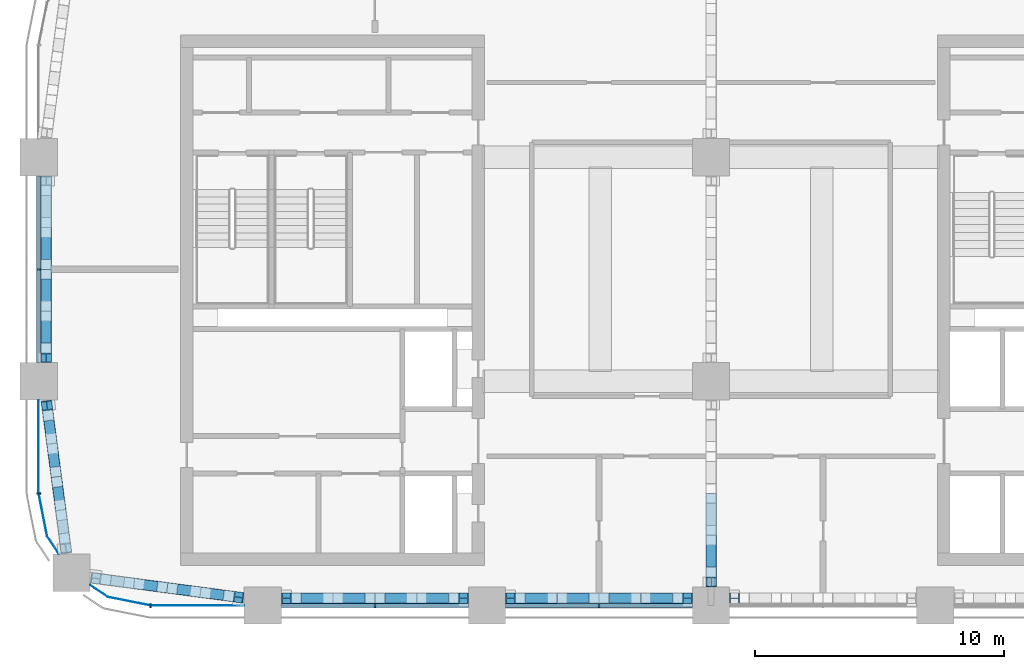
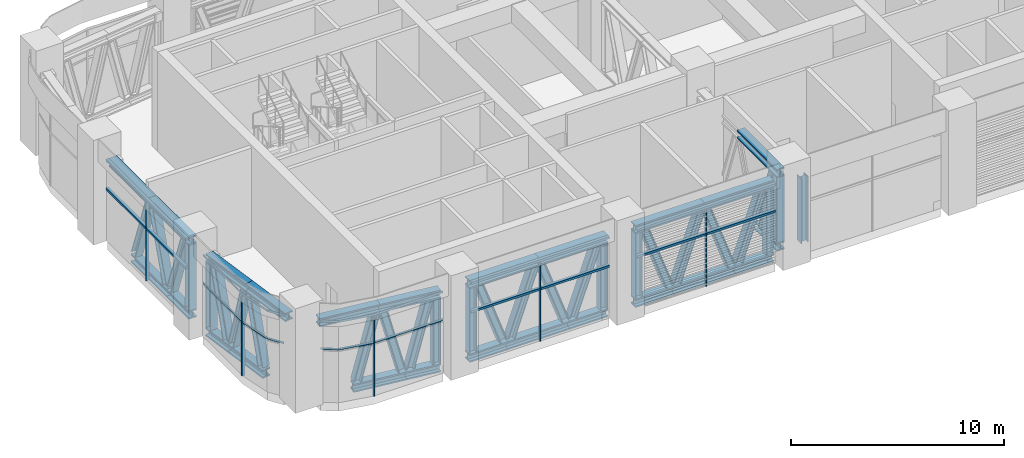
# One storey, part 2 of 19: 66 members, 5 elements without a shape of their own.
"""IFC4 building model written with IfcOpenShell, lengths in metres."""

import ifcopenshell
import ifcopenshell.guid

model = None  # the IFC model being written
_history = None  # IfcOwnerHistory: only IFC2X3 demands one
_inside = {}  # id of a spatial element -> (the spatial element, [elements in it])
_under = {}  # id of a project, library or spatial element -> (it, [spatial elements below it])
_declared = {}  # id of a project -> (the project, [libraries it declares])
_typed = {}  # id of a type object -> (the type object, [elements of that type])
_made_of = {}  # id of a material, layer set ... -> (it, [elements and type objects made of it])


def new_model(schema):
    """Start an empty IFC model of exactly this schema.

    Asked for "IFC4X3", IfcOpenShell would pick the latest addendum, in which some entities
    have other attributes; the version numbers below select the first issue.
    IFC2X3 requires an IfcOwnerHistory on every rooted entity: one is made here for all.
    """
    global model, _history
    if schema == "IFC4X3":
        model = ifcopenshell.file(schema_version=(4, 3, 0, 0))
    else:
        model = ifcopenshell.file(schema=schema)
    _inside.clear()
    _under.clear()
    _declared.clear()
    _typed.clear()
    _made_of.clear()
    _history = None
    if model.schema == "IFC2X3":
        org = make("IfcOrganization", Name="unknown")
        user = make(
            "IfcPersonAndOrganization",
            ThePerson=make("IfcPerson", FamilyName="unknown"),
            TheOrganization=org,
        )
        app = make(
            "IfcApplication",
            ApplicationDeveloper=org,
            Version="unknown",
            ApplicationFullName="unknown",
            ApplicationIdentifier="unknown",
        )
        _history = make(
            "IfcOwnerHistory",
            OwningUser=user,
            OwningApplication=app,
            ChangeAction="ADDED",
            CreationDate=0,
        )
    return model


def make(cls, **values):
    """One entity of the class cls with the attributes given. An attribute that is None is left unset."""
    return model.create_entity(
        cls, **{name: value for name, value in values.items() if value is not None}
    )


def rooted(cls, **values):
    """An entity with a GlobalId (a new one), such as an element, a storey or a relation."""
    return make(cls, GlobalId=ifcopenshell.guid.new(), OwnerHistory=_history, **values)


def si_unit(unit_type, name, prefix=None):
    """IfcSIUnit, for example si_unit("LENGTHUNIT", "METRE", prefix="MILLI")."""
    return make("IfcSIUnit", UnitType=unit_type, Prefix=prefix, Name=name)


def assignment(units):
    """IfcUnitAssignment: the units of a project."""
    return None if units is None else make("IfcUnitAssignment", Units=units)


def point(xyz):
    """IfcCartesianPoint."""
    return None if xyz is None else make("IfcCartesianPoint", Coordinates=xyz)


def direction(xyz):
    """IfcDirection."""
    return None if xyz is None else make("IfcDirection", DirectionRatios=xyz)


def frame(location, z_axis=None, x_axis=None):
    """IfcAxis2Placement3D, a coordinate frame: its origin and axes. An axis left out is left unset."""
    return make(
        "IfcAxis2Placement3D",
        Location=point(location),
        Axis=direction(z_axis),
        RefDirection=direction(x_axis),
    )


def frame_2d(location, x_axis=None):
    """IfcAxis2Placement2D, a coordinate frame in the plane: its origin and x axis."""
    return make(
        "IfcAxis2Placement2D", Location=point(location), RefDirection=direction(x_axis)
    )


def origin():
    """The frame at (0, 0, 0) with its axes left unset."""
    return frame((0.0, 0.0, 0.0))


def origin_2d():
    """The frame at (0, 0) in the plane with its x axis left unset."""
    return frame_2d((0.0, 0.0))


def place(relative_to, where):
    """IfcLocalPlacement: puts the frame where relative to a parent placement (None: the world)."""
    return make(
        "IfcLocalPlacement", PlacementRelTo=relative_to, RelativePlacement=where
    )


def context(
    kind, dimensions, precision=None, world=None, true_north=None, identifier=None
):
    """IfcGeometricRepresentationContext, for example the 3D "Model" context."""
    return make(
        "IfcGeometricRepresentationContext",
        ContextIdentifier=identifier,
        ContextType=kind,
        CoordinateSpaceDimension=dimensions,
        Precision=precision,
        WorldCoordinateSystem=world,
        TrueNorth=true_north,
    )


def subcontext(parent, identifier, kind, view, scale=None):
    """IfcGeometricRepresentationSubContext, for example "Body" below "Model"."""
    return make(
        "IfcGeometricRepresentationSubContext",
        ContextIdentifier=identifier,
        ContextType=kind,
        ParentContext=parent,
        TargetScale=scale,
        TargetView=view,
    )


def project(units=None, contexts=None):
    """IfcProject with its units and contexts."""
    return rooted(
        "IfcProject",
        Name="project",
        RepresentationContexts=contexts,
        UnitsInContext=assignment(units),
    )


def spatial(cls, under=None, at=None, **own):
    """A site, building, storey or space (cls), placed at a placement, below another one or the project."""
    s = rooted(cls, ObjectPlacement=at, **own)
    if under is not None:
        _under.setdefault(under.id(), (under, []))[1].append(s)
    return s


def polyline(points):
    """IfcPolyline through the points."""
    return make("IfcPolyline", Points=[point(p) for p in points])


def profile(cls, at=None, kind="AREA", **sizes):
    """A parametric profile (cls). Its sizes go by their IFC names, for example OverallWidth=200.0."""
    return make(cls, ProfileType=kind, Position=at, **sizes)


def rectangle(**sizes):
    """IfcRectangleProfileDef."""
    return profile("IfcRectangleProfileDef", **sizes)


def i_section(**sizes):
    """IfcIShapeProfileDef."""
    return profile("IfcIShapeProfileDef", **sizes)


def outline(outer, holes=None, kind="AREA"):
    """IfcArbitraryClosedProfileDef: a profile drawn as a closed curve; with holes, ...WithVoids."""
    if holes is None:
        return make("IfcArbitraryClosedProfileDef", ProfileType=kind, OuterCurve=outer)
    return make(
        "IfcArbitraryProfileDefWithVoids",
        ProfileType=kind,
        OuterCurve=outer,
        InnerCurves=holes,
    )


def extrude(swept, where, along, depth):
    """IfcExtrudedAreaSolid: the profile swept, set in the frame where, extruded along a direction by depth."""
    return make(
        "IfcExtrudedAreaSolid",
        SweptArea=swept,
        Position=where,
        ExtrudedDirection=direction(along),
        Depth=depth,
    )


def shape(context_of_items, identifier, shape_type, items):
    """IfcShapeRepresentation: the items that make up one representation, for example the "Body"."""
    return make(
        "IfcShapeRepresentation",
        ContextOfItems=context_of_items,
        RepresentationIdentifier=identifier,
        RepresentationType=shape_type,
        Items=items,
    )


def material(Name=None, Category=None):
    """IfcMaterial."""
    return make("IfcMaterial", Name=Name, Category=Category)


def material_profile(
    of_material, cross_section, Name=None, Category=None, Priority=None
):
    """IfcMaterialProfile: a cross section and its material."""
    return make(
        "IfcMaterialProfile",
        Name=Name,
        Material=of_material,
        Profile=cross_section,
        Priority=Priority,
        Category=Category,
    )


def profile_set(profiles, Name=None, composite=None):
    """IfcMaterialProfileSet."""
    return make(
        "IfcMaterialProfileSet",
        Name=Name,
        MaterialProfiles=profiles,
        CompositeProfile=composite,
    )


def made_of(thing, what):
    """Note that an element or type object is made of a material, layer set ...; save() writes the relation."""
    if what is not None:
        _made_of.setdefault(what.id(), (what, []))[1].append(thing)
    return thing


def type_object(cls, material=None, **own):
    """A type object (cls), such as IfcWallType, which elements share."""
    return made_of(rooted(cls, **own), material)


def element(
    cls,
    number,
    at=None,
    inside=None,
    cuts=None,
    type_object=None,
    material=None,
    context=None,
    identifier="Body",
    shape_type=None,
    held_by="IfcProductDefinitionShape",
    body=None,
    shapes=None,
    **own,
):
    """One element of the class cls, such as IfcWall. Its Tag is "e" and its number.

    at: its placement. inside: the storey or other place that contains it. cuts: it is an
    opening in that element (IfcRelVoidsElement). A single representation is given by context,
    identifier, shape_type and body (its items); several are given by shapes. held_by: the class
    of the entity that holds the representations. save() writes the other relations.
    """
    e = rooted(cls, Tag="e%d" % number, ObjectPlacement=at, **own)
    if body is not None:
        shapes = [shape(context, identifier, shape_type, body)]
    if shapes is not None:
        e.Representation = make(held_by, Representations=shapes)
    if inside is not None:
        _inside.setdefault(inside.id(), (inside, []))[1].append(e)
    if cuts is not None:
        rooted(
            "IfcRelVoidsElement", RelatingBuildingElement=cuts, RelatedOpeningElement=e
        )
    if type_object is not None:
        _typed.setdefault(type_object.id(), (type_object, []))[1].append(e)
    return made_of(e, material)


def aggregate(whole, parts):
    """IfcRelAggregates: a whole, such as a stair, and the parts it consists of."""
    return rooted("IfcRelAggregates", RelatingObject=whole, RelatedObjects=parts)


def save(model, path):
    """Write the relations noted so far, then the file.

    IfcRelAggregates (storeys below a building ...), IfcRelContainedInSpatialStructure (elements
    in a storey), IfcRelDefinesByType, IfcRelAssociatesMaterial and IfcRelDeclares: one each for
    every whole, place, type object, material and project.
    """
    for whole, parts in _under.values():
        aggregate(whole, parts)
    for where, things in _inside.values():
        rooted(
            "IfcRelContainedInSpatialStructure",
            RelatedElements=things,
            RelatingStructure=where,
        )
    for kind, things in _typed.values():
        rooted("IfcRelDefinesByType", RelatedObjects=things, RelatingType=kind)
    for what, things in _made_of.values():
        rooted("IfcRelAssociatesMaterial", RelatedObjects=things, RelatingMaterial=what)
    for by, libraries in _declared.values():
        rooted("IfcRelDeclares", RelatingContext=by, RelatedDefinitions=libraries)
    model.write(path)


model = new_model("IFC4")

# Units and contexts
model_context = context("Model", 3, precision=1e-05, world=origin(), true_north=direction((0.0, 1.0)))
body_context = subcontext(model_context, "Body", "Model", "MODEL_VIEW")
ifc_project = project(units=[si_unit("LENGTHUNIT", "METRE"), si_unit("AREAUNIT", "SQUARE_METRE"), si_unit("VOLUMEUNIT", "CUBIC_METRE"), si_unit("PLANEANGLEUNIT", "RADIAN"), si_unit("MASSUNIT", "GRAM", prefix="KILO")], contexts=[model_context])

# Site, building, storey
site_placement = place(None, origin())
site = spatial("IfcSite", under=ifc_project, at=site_placement, CompositionType="ELEMENT")
building_placement = place(site_placement, origin())
building = spatial("IfcBuilding", under=site, at=building_placement, Name="Tessera Arch", CompositionType="ELEMENT")
storey_placement = place(building_placement, frame((0.0, 0.0, 197.300048828125)))
storey = spatial("IfcBuildingStorey", under=building, at=storey_placement, Name="L47", CompositionType="ELEMENT", Elevation=197.300048828125)

# Curtain wall, member
ifc_material_1 = material(Name="CW7 curtain wall")
curtain_wall_type = type_object("IfcCurtainWallType", Name="CW7 curtain wall", PredefinedType="NOTDEFINED", material=ifc_material_1)
curtain_wall_1_placement = place(storey_placement, origin())
curtain_wall_1 = element("IfcCurtainWall", 1, at=curtain_wall_1_placement, inside=storey, type_object=curtain_wall_type, Name="CW7 curtain wall W0.27/1 L47", PredefinedType="NOTDEFINED")
ifc_material_2 = material(Name="Anodised aluminium pale metal", Category="aluminium")
ifc_material_profile_1 = material_profile(ifc_material_2, rectangle(XDim=0.159912109375, YDim=0.06005859375, at=origin_2d()), Name="AL 60x160")
ifc_profile_set_1 = profile_set([ifc_material_profile_1], Name="Anodised aluminium pale metal")
member_type_1 = type_object("IfcMemberType", Name="CW7 mullion", PredefinedType="MULLION", material=ifc_profile_set_1)
member_1_placement = place(storey_placement, frame((0.0, 40.5, 0.0), z_axis=(0.0, 0.0, 1.0), x_axis=(1.0, 0.0, 0.0)))
member_1 = element("IfcMember", 2, at=member_1_placement, type_object=member_type_1, Name="CW7 mullion W0.27/1 1", PredefinedType="MULLION", context=body_context, shape_type="SweptSolid", body=[
    extrude(rectangle(XDim=0.159912109375, YDim=0.06005859375, at=origin_2d()), origin(), (0.0, 0.0, 1.0), 4.579833984375),
])

curtain_wall_2_placement = place(storey_placement, origin())
curtain_wall_2 = element("IfcCurtainWall", 3, at=curtain_wall_2_placement, inside=storey, type_object=curtain_wall_type, Name="CW7 curtain wall W0.27/2 L47", PredefinedType="NOTDEFINED")
member_2_placement = place(storey_placement, frame((0.0, 31.5, 0.0), z_axis=(0.0, 0.0, 1.0), x_axis=(1.0, 0.0, 0.0)))
member_2 = element("IfcMember", 4, at=member_2_placement, type_object=member_type_1, Name="CW7 mullion W0.27/2 1", PredefinedType="MULLION", context=body_context, shape_type="SweptSolid", body=[
    extrude(rectangle(XDim=0.159912109375, YDim=0.06005859375, at=origin_2d()), origin(), (0.0, 0.0, 1.0), 4.579833984375),
])

curtain_wall_3_placement = place(storey_placement, origin())
curtain_wall_3 = element("IfcCurtainWall", 5, at=curtain_wall_3_placement, inside=storey, type_object=curtain_wall_type, Name="CW7 curtain wall S27.0/0 L47", PredefinedType="NOTDEFINED")
member_3_placement = place(storey_placement, frame((4.5, 27.0, 0.0), z_axis=(0.0, 0.0, 1.0), x_axis=(0.0, 1.0, 0.0)))
member_3 = element("IfcMember", 6, at=member_3_placement, type_object=member_type_1, Name="CW7 mullion S27.0/0 1", PredefinedType="MULLION", context=body_context, shape_type="SweptSolid", body=[
    extrude(rectangle(XDim=0.159912109375, YDim=0.06005859375, at=origin_2d()), origin(), (0.0, 0.0, 1.0), 4.579833984375),
])

curtain_wall_4_placement = place(storey_placement, origin())
curtain_wall_4 = element("IfcCurtainWall", 7, at=curtain_wall_4_placement, inside=storey, type_object=curtain_wall_type, Name="CW7 curtain wall S27.0/1 L47", PredefinedType="NOTDEFINED")
member_4_placement = place(storey_placement, frame((13.5, 27.0, 0.0), z_axis=(0.0, 0.0, 1.0), x_axis=(0.0, 1.0, 0.0)))
member_4 = element("IfcMember", 8, at=member_4_placement, type_object=member_type_1, Name="CW7 mullion S27.0/1 1", PredefinedType="MULLION", context=body_context, shape_type="SweptSolid", body=[
    extrude(rectangle(XDim=0.159912109375, YDim=0.06005859375, at=origin_2d()), origin(), (0.0, 0.0, 1.0), 4.579833984375),
])

curtain_wall_5_placement = place(storey_placement, origin())
curtain_wall_5 = element("IfcCurtainWall", 9, at=curtain_wall_5_placement, inside=storey, type_object=curtain_wall_type, Name="CW7 curtain wall S27.0/2 L47", PredefinedType="NOTDEFINED")
member_5_placement = place(storey_placement, frame((22.5, 27.0, 0.0), z_axis=(0.0, 0.0, 1.0), x_axis=(0.0, 1.0, 0.0)))
member_5 = element("IfcMember", 10, at=member_5_placement, type_object=member_type_1, Name="CW7 mullion S27.0/2 1", PredefinedType="MULLION", context=body_context, shape_type="SweptSolid", body=[
    extrude(rectangle(XDim=0.159912109375, YDim=0.06005859375, at=origin_2d()), origin(), (0.0, 0.0, 1.0), 4.469970703125),
])

# Member
ifc_material_3 = material(Name="Anodised aluminium pale metal", Category="aluminium")
ifc_material_profile_2 = material_profile(ifc_material_3, rectangle(XDim=0.159912109375, YDim=0.1201171875, at=origin_2d()), Name="AL 160x120")
ifc_profile_set_2 = profile_set([ifc_material_profile_2], Name="Anodised aluminium pale metal")
member_type_2 = type_object("IfcMemberType", Name="CW7 transom", PredefinedType="USERDEFINED", material=ifc_profile_set_2)
member_6_placement = place(storey_placement, frame((0.0, 44.25, 4.639892578125), z_axis=(0.0, -1.0, 0.0), x_axis=(1.0, 0.0, 0.0)))
member_6 = element("IfcMember", 11, at=member_6_placement, type_object=member_type_2, Name="CW7 transom W0.27/1 1.1", ObjectType="TRANSOM", PredefinedType="USERDEFINED", context=body_context, shape_type="SweptSolid", body=[
    extrude(rectangle(XDim=0.159912109375, YDim=0.1201171875, at=origin_2d()), origin(), (0.0, 0.0, 1.0), 7.5),
])

member_7_placement = place(storey_placement, frame((0.0, 44.25, 3.0), z_axis=(0.0, -1.0, 0.0), x_axis=(1.0, 0.0, 0.0)))
member_7 = element("IfcMember", 12, at=member_7_placement, type_object=member_type_2, Name="CW7 transom W0.27/1 2.1", ObjectType="TRANSOM", PredefinedType="USERDEFINED", context=body_context, shape_type="SweptSolid", body=[
    extrude(rectangle(XDim=0.159912109375, YDim=0.1201171875, at=origin_2d()), origin(), (0.0, 0.0, 1.0), 7.5),
])

aggregate(curtain_wall_1, [member_1, member_6, member_7])

member_8_placement = place(storey_placement, frame((0.0, 0.0, 3.0)))
member_8 = element("IfcMember", 13, at=member_8_placement, type_object=member_type_2, Name="CW7 transom W0.27/2 1", ObjectType="TRANSOM", PredefinedType="USERDEFINED", context=body_context, shape_type="SweptSolid", body=[
    extrude(outline(polyline([(0.010009765625, 31.5009765625), (0.010009765625, 35.25), (-0.010009765625, 35.25), (-0.010009765625, 31.4990234375), (0.3330078125, 29.77392578125), (0.80859375, 29.0625), (0.8251953125, 29.073486328125), (0.351806640625, 29.78173828125), (0.010009765625, 31.5009765625)])), origin(), (0.0, 0.0, 1.0), 0.119873046875),
])

member_9_placement = place(storey_placement, frame((0.0, 0.0, 4.579833984375)))
member_9 = element("IfcMember", 14, at=member_9_placement, type_object=member_type_2, Name="CW7 transom W0.27/2 2", ObjectType="TRANSOM", PredefinedType="USERDEFINED", context=body_context, shape_type="SweptSolid", body=[
    extrude(outline(polyline([(0.010009765625, 31.5009765625), (0.010009765625, 35.25), (-0.010009765625, 35.25), (-0.010009765625, 31.4990234375), (0.3330078125, 29.77392578125), (0.80859375, 29.0625), (0.8251953125, 29.073486328125), (0.351806640625, 29.78173828125), (0.010009765625, 31.5009765625)])), origin(), (0.0, 0.0, 1.0), 0.1201171875),
])

aggregate(curtain_wall_2, [member_2, member_8, member_9])

member_10_placement = place(storey_placement, frame((0.0, 0.0, 3.0)))
member_10 = element("IfcMember", 15, at=member_10_placement, type_object=member_type_2, Name="CW7 transom S27.0/0 1", ObjectType="TRANSOM", PredefinedType="USERDEFINED", context=body_context, shape_type="SweptSolid", body=[
    extrude(outline(polyline([(2.78173828125, 27.351806640625), (2.073486328125, 27.8251953125), (2.0625, 27.80859375), (2.77392578125, 27.3330078125), (4.4990234375, 26.989990234375), (8.25, 26.989990234375), (8.25, 27.010009765625), (4.5009765625, 27.010009765625), (2.78173828125, 27.351806640625)])), origin(), (0.0, 0.0, 1.0), 0.119873046875),
])

member_11_placement = place(storey_placement, frame((0.0, 0.0, 4.579833984375)))
member_11 = element("IfcMember", 16, at=member_11_placement, type_object=member_type_2, Name="CW7 transom S27.0/0 2", ObjectType="TRANSOM", PredefinedType="USERDEFINED", context=body_context, shape_type="SweptSolid", body=[
    extrude(outline(polyline([(2.78173828125, 27.351806640625), (2.073486328125, 27.8251953125), (2.0625, 27.80859375), (2.77392578125, 27.3330078125), (4.4990234375, 26.989990234375), (8.25, 26.989990234375), (8.25, 27.010009765625), (4.5009765625, 27.010009765625), (2.78173828125, 27.351806640625)])), origin(), (0.0, 0.0, 1.0), 0.1201171875),
])

aggregate(curtain_wall_3, [member_3, member_10, member_11])

member_12_placement = place(storey_placement, frame((9.75, 27.0, 4.639892578125), z_axis=(1.0, 0.0, 0.0), x_axis=(0.0, 1.0, 0.0)))
member_12 = element("IfcMember", 17, at=member_12_placement, type_object=member_type_2, Name="CW7 transom S27.0/1 1.1", ObjectType="TRANSOM", PredefinedType="USERDEFINED", context=body_context, shape_type="SweptSolid", body=[
    extrude(rectangle(XDim=0.159912109375, YDim=0.1201171875, at=origin_2d()), origin(), (0.0, 0.0, 1.0), 7.5),
])

member_13_placement = place(storey_placement, frame((9.75, 27.0, 3.0), z_axis=(1.0, 0.0, 0.0), x_axis=(0.0, 1.0, 0.0)))
member_13 = element("IfcMember", 18, at=member_13_placement, type_object=member_type_2, Name="CW7 transom S27.0/1 2.1", ObjectType="TRANSOM", PredefinedType="USERDEFINED", context=body_context, shape_type="SweptSolid", body=[
    extrude(rectangle(XDim=0.159912109375, YDim=0.1201171875, at=origin_2d()), origin(), (0.0, 0.0, 1.0), 7.5),
])

aggregate(curtain_wall_4, [member_4, member_12, member_13])

member_14_placement = place(storey_placement, frame((18.75, 27.0, 4.530029296875), z_axis=(1.0, 0.0, 0.0), x_axis=(0.0, 1.0, 0.0)))
member_14 = element("IfcMember", 19, at=member_14_placement, type_object=member_type_2, Name="CW7 transom S27.0/2 1.1", ObjectType="TRANSOM", PredefinedType="USERDEFINED", context=body_context, shape_type="SweptSolid", body=[
    extrude(rectangle(XDim=0.159912109375, YDim=0.1201171875, at=origin_2d()), origin(), (0.0, 0.0, 1.0), 7.5),
])

member_15_placement = place(storey_placement, frame((18.75, 27.0, 3.0), z_axis=(1.0, 0.0, 0.0), x_axis=(0.0, 1.0, 0.0)))
member_15 = element("IfcMember", 20, at=member_15_placement, type_object=member_type_2, Name="CW7 transom S27.0/2 2.1", ObjectType="TRANSOM", PredefinedType="USERDEFINED", context=body_context, shape_type="SweptSolid", body=[
    extrude(rectangle(XDim=0.159912109375, YDim=0.1201171875, at=origin_2d()), origin(), (0.0, 0.0, 1.0), 7.5),
])

aggregate(curtain_wall_5, [member_5, member_14, member_15])

# Members
ifc_material_4 = material(Name="Steel A992 Gr50", Category="steel")
ifc_material_profile_3 = material_profile(ifc_material_4, i_section(OverallWidth=0.424072265625, OverallDepth=0.47412109375, WebThickness=0.047607421875, FlangeThickness=0.0771484375, at=origin_2d()), Name="W14x426")
ifc_profile_set_3 = profile_set([ifc_material_profile_3], Name="Steel A992 Gr50")
member_type_3 = type_object("IfcMemberType", Name="Truss chord W14x426", PredefinedType="CHORD", material=ifc_profile_set_3)
for number, where, z_axis, x_axis, name in (
    (21, (0.300048828125, 44.25, 4.462890625), (0.0, -1.0, 0.0), (1.0, 0.0, 0.0), "Belt truss top chord 1"),
    (22, (0.300048828125, 40.5, 4.462890625), (0.0, -1.0, 0.0), (1.0, 0.0, 0.0), "Belt truss top chord 2"),
):
    element("IfcMember", number, at=place(storey_placement, frame(where, z_axis=z_axis, x_axis=x_axis)), inside=storey, type_object=member_type_3, Name=name, PredefinedType="CHORD", context=body_context, shape_type="SweptSolid", body=[
        extrude(i_section(OverallWidth=0.424072265625, OverallDepth=0.47412109375, WebThickness=0.047607421875, FlangeThickness=0.0771484375, at=origin_2d()), origin(), (0.0, 0.0, 1.0), 3.75),
    ])
member_16_placement = place(storey_placement, frame((0.300048828125, 42.17822265625, 0.237060546875), z_axis=(0.0, -1.0, 0.0), x_axis=(1.0, 0.0, 0.0)))
element("IfcMember", 23, at=member_16_placement, inside=storey, type_object=member_type_3, Name="Belt truss bottom chord 2", PredefinedType="CHORD", context=body_context, shape_type="SweptSolid", body=[
    extrude(i_section(OverallWidth=0.424072265625, OverallDepth=0.47412109375, WebThickness=0.047607421875, FlangeThickness=0.0771484375, at=origin_2d()), origin(), (0.0, 0.0, 1.0), 3.3564453125),
])
member_17_placement = place(storey_placement, frame((0.300048828125, 38.82177734375, 0.237060546875), z_axis=(0.0, -1.0, 0.0), x_axis=(1.0, 0.0, 0.0)))
element("IfcMember", 24, at=member_17_placement, inside=storey, type_object=member_type_3, Name="Belt truss bottom chord 3", PredefinedType="CHORD", context=body_context, shape_type="SweptSolid", body=[
    extrude(i_section(OverallWidth=0.424072265625, OverallDepth=0.47412109375, WebThickness=0.047607421875, FlangeThickness=0.0771484375, at=origin_2d()), origin(), (0.0, 0.0, 1.0), 2.07177734375),
])
for number, where, z_axis, x_axis, name in (
    (25, (0.30615234375, 35.22216796875, 4.462890625), (0.131017644373, -0.991380036546, 0.0), (0.991380036546, 0.131017644373, 0.0), "Belt truss top chord 1"),
    (26, (0.710205078125, 32.164794921875, 4.462890625), (0.131017644373, -0.991380036546, 0.0), (0.991380036546, 0.131017644373, 0.0), "Belt truss top chord 2"),
):
    element("IfcMember", number, at=place(storey_placement, frame(where, z_axis=z_axis, x_axis=x_axis)), inside=storey, type_object=member_type_3, Name=name, PredefinedType="CHORD", context=body_context, shape_type="SweptSolid", body=[
        extrude(i_section(OverallWidth=0.424072265625, OverallDepth=0.47412109375, WebThickness=0.047607421875, FlangeThickness=0.0771484375, at=origin_2d()), origin(), (0.0, 0.0, 1.0), 3.083984375),
    ])
member_18_placement = place(storey_placement, frame((0.30615234375, 35.22216796875, 0.237060546875), z_axis=(0.131133639692, -0.991364700068, 0.0), x_axis=(0.991364700068, 0.131133639692, 0.0)))
element("IfcMember", 27, at=member_18_placement, inside=storey, type_object=member_type_3, Name="Belt truss bottom chord 1", PredefinedType="CHORD", context=body_context, shape_type="SweptSolid", body=[
    extrude(i_section(OverallWidth=0.424072265625, OverallDepth=0.47412109375, WebThickness=0.047607421875, FlangeThickness=0.0771484375, at=origin_2d()), origin(), (0.0, 0.0, 1.0), 1.739013671875),
])
member_19_placement = place(storey_placement, frame((0.5341796875, 33.498291015625, 0.237060546875), z_axis=(0.13095688187, -0.991388064832, 0.0), x_axis=(0.991388064832, 0.13095688187, 0.0)))
element("IfcMember", 28, at=member_19_placement, inside=storey, type_object=member_type_3, Name="Belt truss bottom chord 2", PredefinedType="CHORD", context=body_context, shape_type="SweptSolid", body=[
    extrude(i_section(OverallWidth=0.424072265625, OverallDepth=0.47412109375, WebThickness=0.047607421875, FlangeThickness=0.0771484375, at=origin_2d()), origin(), (0.0, 0.0, 1.0), 2.690185546875),
])
for number, where, z_axis, x_axis, name in (
    (29, (2.107421875, 28.1142578125, 4.462890625), (0.991380036546, -0.131017644373, 0.0), (0.131017644373, 0.991380036546, 0.0), "Belt truss top chord 1"),
    (30, (5.164794921875, 27.710205078125, 4.462890625), (0.991380036546, -0.131017644373, 0.0), (0.131017644373, 0.991380036546, 0.0), "Belt truss top chord 2"),
):
    element("IfcMember", number, at=place(storey_placement, frame(where, z_axis=z_axis, x_axis=x_axis)), inside=storey, type_object=member_type_3, Name=name, PredefinedType="CHORD", context=body_context, shape_type="SweptSolid", body=[
        extrude(i_section(OverallWidth=0.424072265625, OverallDepth=0.47412109375, WebThickness=0.047607421875, FlangeThickness=0.0771484375, at=origin_2d()), origin(), (0.0, 0.0, 1.0), 3.083984375),
    ])
member_20_placement = place(storey_placement, frame((3.831298828125, 27.886474609375, 0.237060546875), z_axis=(0.991388064832, -0.13095688187, 0.0), x_axis=(0.13095688187, 0.991388064832, 0.0)))
element("IfcMember", 31, at=member_20_placement, inside=storey, type_object=member_type_3, Name="Belt truss bottom chord 2", PredefinedType="CHORD", context=body_context, shape_type="SweptSolid", body=[
    extrude(i_section(OverallWidth=0.424072265625, OverallDepth=0.47412109375, WebThickness=0.047607421875, FlangeThickness=0.0771484375, at=origin_2d()), origin(), (0.0, 0.0, 1.0), 2.690185546875),
])
member_21_placement = place(storey_placement, frame((6.498291015625, 27.5341796875, 0.237060546875), z_axis=(0.991364700068, -0.131133639692, 0.0), x_axis=(0.131133639692, 0.991364700068, 0.0)))
element("IfcMember", 32, at=member_21_placement, inside=storey, type_object=member_type_3, Name="Belt truss bottom chord 3", PredefinedType="CHORD", context=body_context, shape_type="SweptSolid", body=[
    extrude(i_section(OverallWidth=0.424072265625, OverallDepth=0.47412109375, WebThickness=0.047607421875, FlangeThickness=0.0771484375, at=origin_2d()), origin(), (0.0, 0.0, 1.0), 1.739013671875),
])
for number, where, z_axis, x_axis, name in (
    (33, (9.75, 27.300048828125, 4.462890625), (1.0, 0.0, 0.0), (0.0, 1.0, 0.0), "Belt truss top chord 1"),
    (34, (13.5, 27.300048828125, 4.462890625), (1.0, 0.0, 0.0), (0.0, 1.0, 0.0), "Belt truss top chord 2"),
):
    element("IfcMember", number, at=place(storey_placement, frame(where, z_axis=z_axis, x_axis=x_axis)), inside=storey, type_object=member_type_3, Name=name, PredefinedType="CHORD", context=body_context, shape_type="SweptSolid", body=[
        extrude(i_section(OverallWidth=0.424072265625, OverallDepth=0.47412109375, WebThickness=0.047607421875, FlangeThickness=0.0771484375, at=origin_2d()), origin(), (0.0, 0.0, 1.0), 3.75),
    ])
member_22_placement = place(storey_placement, frame((9.75, 27.300048828125, 0.237060546875), z_axis=(1.0, 0.0, 0.0), x_axis=(0.0, 1.0, 0.0)))
element("IfcMember", 35, at=member_22_placement, inside=storey, type_object=member_type_3, Name="Belt truss bottom chord 1", PredefinedType="CHORD", context=body_context, shape_type="SweptSolid", body=[
    extrude(i_section(OverallWidth=0.424072265625, OverallDepth=0.47412109375, WebThickness=0.047607421875, FlangeThickness=0.0771484375, at=origin_2d()), origin(), (0.0, 0.0, 1.0), 2.07177734375),
])
member_23_placement = place(storey_placement, frame((11.82177734375, 27.300048828125, 0.237060546875), z_axis=(1.0, 0.0, 0.0), x_axis=(0.0, 1.0, 0.0)))
element("IfcMember", 36, at=member_23_placement, inside=storey, type_object=member_type_3, Name="Belt truss bottom chord 2", PredefinedType="CHORD", context=body_context, shape_type="SweptSolid", body=[
    extrude(i_section(OverallWidth=0.424072265625, OverallDepth=0.47412109375, WebThickness=0.047607421875, FlangeThickness=0.0771484375, at=origin_2d()), origin(), (0.0, 0.0, 1.0), 3.3564453125),
])
member_24_placement = place(storey_placement, frame((15.17822265625, 27.300048828125, 0.237060546875), z_axis=(1.0, 0.0, 0.0), x_axis=(0.0, 1.0, 0.0)))
element("IfcMember", 37, at=member_24_placement, inside=storey, type_object=member_type_3, Name="Belt truss bottom chord 3", PredefinedType="CHORD", context=body_context, shape_type="SweptSolid", body=[
    extrude(i_section(OverallWidth=0.424072265625, OverallDepth=0.47412109375, WebThickness=0.047607421875, FlangeThickness=0.0771484375, at=origin_2d()), origin(), (0.0, 0.0, 1.0), 2.07177734375),
])
for number, where, z_axis, x_axis, name in (
    (38, (18.75, 27.300048828125, 4.462890625), (1.0, 0.0, 0.0), (0.0, 1.0, 0.0), "Belt truss top chord 1"),
    (39, (22.5, 27.300048828125, 4.462890625), (1.0, 0.0, 0.0), (0.0, 1.0, 0.0), "Belt truss top chord 2"),
):
    element("IfcMember", number, at=place(storey_placement, frame(where, z_axis=z_axis, x_axis=x_axis)), inside=storey, type_object=member_type_3, Name=name, PredefinedType="CHORD", context=body_context, shape_type="SweptSolid", body=[
        extrude(i_section(OverallWidth=0.424072265625, OverallDepth=0.47412109375, WebThickness=0.047607421875, FlangeThickness=0.0771484375, at=origin_2d()), origin(), (0.0, 0.0, 1.0), 3.75),
    ])
member_25_placement = place(storey_placement, frame((18.75, 27.300048828125, 0.237060546875), z_axis=(1.0, 0.0, 0.0), x_axis=(0.0, 1.0, 0.0)))
element("IfcMember", 40, at=member_25_placement, inside=storey, type_object=member_type_3, Name="Belt truss bottom chord 1", PredefinedType="CHORD", context=body_context, shape_type="SweptSolid", body=[
    extrude(i_section(OverallWidth=0.424072265625, OverallDepth=0.47412109375, WebThickness=0.047607421875, FlangeThickness=0.0771484375, at=origin_2d()), origin(), (0.0, 0.0, 1.0), 2.07177734375),
])
member_26_placement = place(storey_placement, frame((20.82177734375, 27.300048828125, 0.237060546875), z_axis=(1.0, 0.0, 0.0), x_axis=(0.0, 1.0, 0.0)))
element("IfcMember", 41, at=member_26_placement, inside=storey, type_object=member_type_3, Name="Belt truss bottom chord 2", PredefinedType="CHORD", context=body_context, shape_type="SweptSolid", body=[
    extrude(i_section(OverallWidth=0.424072265625, OverallDepth=0.47412109375, WebThickness=0.047607421875, FlangeThickness=0.0771484375, at=origin_2d()), origin(), (0.0, 0.0, 1.0), 3.3564453125),
])
member_27_placement = place(storey_placement, frame((24.17822265625, 27.300048828125, 0.237060546875), z_axis=(1.0, 0.0, 0.0), x_axis=(0.0, 1.0, 0.0)))
element("IfcMember", 42, at=member_27_placement, inside=storey, type_object=member_type_3, Name="Belt truss bottom chord 3", PredefinedType="CHORD", context=body_context, shape_type="SweptSolid", body=[
    extrude(i_section(OverallWidth=0.424072265625, OverallDepth=0.47412109375, WebThickness=0.047607421875, FlangeThickness=0.0771484375, at=origin_2d()), origin(), (0.0, 0.0, 1.0), 2.07177734375),
])
member_28_placement = place(storey_placement, frame((27.0, 27.75, 4.462890625), z_axis=(0.0, 1.0, 0.0), x_axis=(-1.0, 0.0, 0.0)))
element("IfcMember", 43, at=member_28_placement, inside=storey, type_object=member_type_3, Name="Belt truss top chord 1", PredefinedType="CHORD", context=body_context, shape_type="SweptSolid", body=[
    extrude(i_section(OverallWidth=0.424072265625, OverallDepth=0.47412109375, WebThickness=0.047607421875, FlangeThickness=0.0771484375, at=origin_2d()), origin(), (0.0, 0.0, 1.0), 3.75),
])
member_29_placement = place(storey_placement, frame((27.0, 27.75, 0.237060546875), z_axis=(0.0, 1.0, 0.0), x_axis=(-1.0, 0.0, 0.0)))
element("IfcMember", 44, at=member_29_placement, inside=storey, type_object=member_type_3, Name="Belt truss bottom chord 1", PredefinedType="CHORD", context=body_context, shape_type="SweptSolid", body=[
    extrude(i_section(OverallWidth=0.424072265625, OverallDepth=0.47412109375, WebThickness=0.047607421875, FlangeThickness=0.0771484375, at=origin_2d()), origin(), (0.0, 0.0, 1.0), 2.072021484375),
])
ifc_material_5 = material(Name="Steel A992 Gr50", Category="steel")
ifc_material_profile_4 = material_profile(ifc_material_5, i_section(OverallWidth=0.406494140625, OverallDepth=0.41650390625, WebThickness=0.030029296875, FlangeThickness=0.048095703125, at=origin_2d()), Name="W14x257")
ifc_profile_set_4 = profile_set([ifc_material_profile_4], Name="Steel A992 Gr50")
member_type_4 = type_object("IfcMemberType", Name="Truss diagonal W14x257", PredefinedType="BRACE", material=ifc_profile_set_4)
for number, where, z_axis, x_axis, name in (
    (45, (0.300048828125, 41.975830078125, 0.56103515625), (0.0, -0.335371083549, 0.94208610876), (1.0, 0.0, 0.0), "Belt truss diagonal 2"),
    (46, (0.300048828125, 40.2978515625, 4.138916015625), (0.0, -0.335371083549, -0.94208610876), (1.0, 0.0, 0.0), "Belt truss diagonal 3"),
    (47, (0.300048828125, 38.61962890625, 0.56103515625), (0.0, -0.335371083549, 0.94208610876), (1.0, 0.0, 0.0), "Belt truss diagonal 4"),
):
    element("IfcMember", number, at=place(storey_placement, frame(where, z_axis=z_axis, x_axis=x_axis)), inside=storey, type_object=member_type_4, Name=name, PredefinedType="BRACE", context=body_context, shape_type="SweptSolid", body=[
        extrude(i_section(OverallWidth=0.406494140625, OverallDepth=0.41650390625, WebThickness=0.030029296875, FlangeThickness=0.048095703125, at=origin_2d()), origin(), (0.0, 0.0, 1.0), 3.7978515625),
    ])
for number, where, z_axis, x_axis, name in (
    (48, (0.384765625, 34.627685546875, 4.15625), (0.032782850795, -0.247867143338, -0.96823920802), (0.991366776688, 0.131117939578, 0.0), "Belt truss diagonal 1"),
    (49, (0.56103515625, 33.2939453125, 0.543701171875), (0.032782850795, -0.247867143338, 0.96823920802), (0.991366776688, 0.131117939578, 0.0), "Belt truss diagonal 2"),
    (50, (0.7373046875, 31.96044921875, 4.15625), (0.032782850795, -0.247867143338, -0.96823920802), (0.991366776688, 0.131117939578, 0.0), "Belt truss diagonal 3"),
    (51, (4.03564453125, 27.859619140625, 0.543701171875), (0.247867143338, -0.032782850795, 0.96823920802), (0.131117939578, 0.991366776688, 0.0), "Belt truss diagonal 2"),
    (52, (5.369140625, 27.683349609375, 4.15625), (0.247867143338, -0.032782850795, -0.96823920802), (0.131117939578, 0.991366776688, 0.0), "Belt truss diagonal 3"),
    (53, (6.702880859375, 27.507080078125, 0.543701171875), (0.247867143338, -0.032782850795, 0.96823920802), (0.131117939578, 0.991366776688, 0.0), "Belt truss diagonal 4"),
):
    element("IfcMember", number, at=place(storey_placement, frame(where, z_axis=z_axis, x_axis=x_axis)), inside=storey, type_object=member_type_4, Name=name, PredefinedType="BRACE", context=body_context, shape_type="SweptSolid", body=[
        extrude(i_section(OverallWidth=0.406494140625, OverallDepth=0.41650390625, WebThickness=0.030029296875, FlangeThickness=0.048095703125, at=origin_2d()), origin(), (0.0, 0.0, 1.0), 3.73095703125),
    ])
for number, where, z_axis, x_axis, name in (
    (54, (10.345947265625, 27.300048828125, 4.138916015625), (0.335371083549, 0.0, -0.94208610876), (0.0, 1.0, 0.0), "Belt truss diagonal 1"),
    (55, (12.024169921875, 27.300048828125, 0.56103515625), (0.335371083549, 0.0, 0.94208610876), (0.0, 1.0, 0.0), "Belt truss diagonal 2"),
    (56, (13.7021484375, 27.300048828125, 4.138916015625), (0.335371083549, 0.0, -0.94208610876), (0.0, 1.0, 0.0), "Belt truss diagonal 3"),
    (57, (15.38037109375, 27.300048828125, 0.56103515625), (0.335371083549, 0.0, 0.94208610876), (0.0, 1.0, 0.0), "Belt truss diagonal 4"),
    (58, (19.345947265625, 27.300048828125, 4.138916015625), (0.335371083549, 0.0, -0.94208610876), (0.0, 1.0, 0.0), "Belt truss diagonal 1"),
    (59, (21.024169921875, 27.300048828125, 0.56103515625), (0.335371083549, 0.0, 0.94208610876), (0.0, 1.0, 0.0), "Belt truss diagonal 2"),
    (60, (22.7021484375, 27.300048828125, 4.138916015625), (0.335371083549, 0.0, -0.94208610876), (0.0, 1.0, 0.0), "Belt truss diagonal 3"),
    (61, (24.38037109375, 27.300048828125, 0.56103515625), (0.335371083549, 0.0, 0.94208610876), (0.0, 1.0, 0.0), "Belt truss diagonal 4"),
    (62, (27.0, 28.345947265625, 4.138916015625), (0.0, 0.335371083549, -0.94208610876), (-1.0, 0.0, 0.0), "Belt truss diagonal 1"),
):
    element("IfcMember", number, at=place(storey_placement, frame(where, z_axis=z_axis, x_axis=x_axis)), inside=storey, type_object=member_type_4, Name=name, PredefinedType="BRACE", context=body_context, shape_type="SweptSolid", body=[
        extrude(i_section(OverallWidth=0.406494140625, OverallDepth=0.41650390625, WebThickness=0.030029296875, FlangeThickness=0.048095703125, at=origin_2d()), origin(), (0.0, 0.0, 1.0), 3.7978515625),
    ])
ifc_material_6 = material(Name="Steel A992 Gr50", Category="steel")
ifc_material_profile_5 = material_profile(ifc_material_6, i_section(OverallWidth=0.398681640625, OverallDepth=0.393798828125, WebThickness=0.022705078125, FlangeThickness=0.03662109375, at=origin_2d()), Name="W14x193")
ifc_profile_set_5 = profile_set([ifc_material_profile_5], Name="Steel A992 Gr50")
member_type_5 = type_object("IfcMemberType", Name="Truss post W14x193", PredefinedType="POST", material=ifc_profile_set_5)
for number, where, z_axis, x_axis, name in (
    (63, (0.300048828125, 36.94677734375, 0.47412109375), (0.0, 0.0, 1.0), (1.0, 0.0, 0.0), "Belt truss end post 2"),
    (64, (0.33203125, 35.027099609375, 0.47412109375), (0.0, 0.0, 1.0), (0.991381984675, 0.131002902497, 0.0), "Belt truss end post 1"),
    (65, (8.027099609375, 27.33203125, 0.47412109375), (0.0, 0.0, 1.0), (0.131002902497, 0.991381984675, 0.0), "Belt truss end post 2"),
    (66, (9.94677734375, 27.300048828125, 0.47412109375), (0.0, 0.0, 1.0), (0.0, 1.0, 0.0), "Belt truss end post 1"),
    (67, (17.05322265625, 27.300048828125, 0.47412109375), (0.0, 0.0, 1.0), (0.0, 1.0, 0.0), "Belt truss end post 2"),
    (68, (18.94677734375, 27.300048828125, 0.47412109375), (0.0, 0.0, 1.0), (0.0, 1.0, 0.0), "Belt truss end post 1"),
    (69, (26.05322265625, 27.300048828125, 0.47412109375), (0.0, 0.0, 1.0), (0.0, 1.0, 0.0), "Belt truss end post 2"),
    (70, (27.94677734375, 27.300048828125, 0.47412109375), (0.0, 0.0, 1.0), (0.0, 1.0, 0.0), "Belt truss end post 1"),
    (71, (27.0, 27.947021484375, 0.47412109375), (0.0, 0.0, 1.0), (1.0, 0.0, 0.0), "Belt truss end post 1"),
):
    element("IfcMember", number, at=place(storey_placement, frame(where, z_axis=z_axis, x_axis=x_axis)), inside=storey, type_object=member_type_5, Name=name, PredefinedType="POST", context=body_context, shape_type="SweptSolid", body=[
        extrude(i_section(OverallWidth=0.398681640625, OverallDepth=0.393798828125, WebThickness=0.022705078125, FlangeThickness=0.03662109375, at=origin_2d()), origin(), (0.0, 0.0, 1.0), 3.751708984375),
    ])

save(model, "model.ifc")
